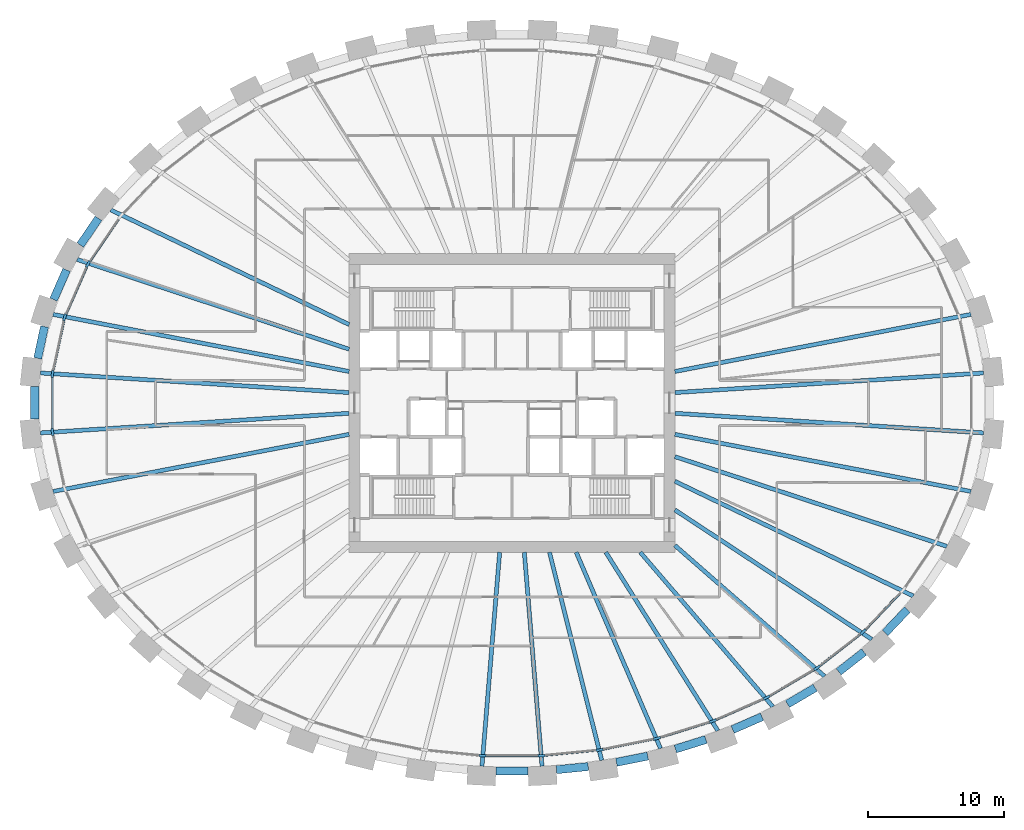
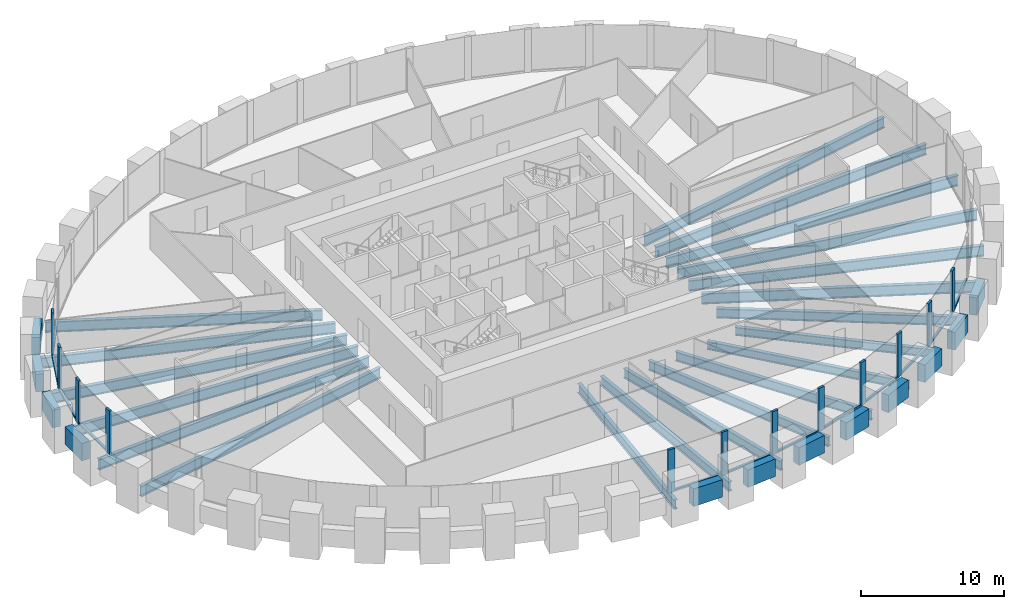
# One storey, part 2 of 11: 32 beams, 24 members, 1 element without a shape of its own.
"""IFC4 building model written with IfcOpenShell, lengths in metres."""

from ifc_helpers import new_model, si_unit, direction, frame, origin, origin_2d, place, context, subcontext, project, spatial, rectangle, i_section, extrude, source, transform, mapped, material, material_profile, profile_set, type_object, element, aggregate, save


model = new_model("IFC4")

# Units and contexts
model_context = context("Model", 3, precision=1e-05, world=origin(), true_north=direction((0.0, 1.0)))
body_context = subcontext(model_context, "Body", "Model", "MODEL_VIEW")
ifc_project = project(units=[si_unit("LENGTHUNIT", "METRE"), si_unit("AREAUNIT", "SQUARE_METRE"), si_unit("VOLUMEUNIT", "CUBIC_METRE"), si_unit("PLANEANGLEUNIT", "RADIAN"), si_unit("MASSUNIT", "GRAM", prefix="KILO")], contexts=[model_context])

# Site, building, storey
site_placement = place(None, origin())
site = spatial("IfcSite", under=ifc_project, at=site_placement, CompositionType="ELEMENT")
building_placement = place(site_placement, origin())
building = spatial("IfcBuilding", under=site, at=building_placement, Name="Embergate Tower", CompositionType="ELEMENT")
storey_placement = place(building_placement, frame((0.0, 0.0, 219.0)))
storey = spatial("IfcBuildingStorey", under=building, at=storey_placement, Name="L50", CompositionType="ELEMENT", Elevation=219.0)

# Beams
ifc_material_1 = material(Name="Concrete C60", Category="concrete")
ifc_material_profile_1 = material_profile(ifc_material_1, rectangle(XDim=0.60009765625, YDim=1.5, at=origin_2d()), Name="RC 600x1500")
ifc_profile_set_1 = profile_set([ifc_material_profile_1], Name="Concrete C60")
beam_type_1 = type_object("IfcBeamType", Name="Spandrel beam RC 600x1500 C60", PredefinedType="BEAM", material=ifc_profile_set_1)
shared_shape_1 = source(origin(), body_context, "Body", "SweptSolid", [
    extrude(rectangle(XDim=0.60009765625, YDim=1.5, at=origin_2d()), origin(), (0.0, 0.0, 1.0), 2.3896484375),
])
beam_1_placement = place(storey_placement, frame((-34.43603515625, 5.62109375, 0.0), z_axis=(-0.21045693854, -0.977603128586, 0.0), x_axis=(0.977603128586, -0.21045693854, 0.0)))
element("IfcBeam", 1, at=beam_1_placement, inside=storey, type_object=beam_type_1, Name="SPN-L50-20", PredefinedType="BEAM", context=body_context, shape_type="MappedRepresentation", body=[
    mapped(shared_shape_1, transform((0.0, 0.0, 0.0))),
])
shared_shape_2 = source(origin(), body_context, "Body", "SweptSolid", [
    extrude(rectangle(XDim=0.60009765625, YDim=1.5, at=origin_2d()), origin(), (0.0, 0.0, 1.0), 2.3837890625),
])
beam_2_placement = place(storey_placement, frame((-32.81298828125, 9.7958984375, 0.0), z_axis=(-0.401876968148, -0.915693672836, 0.0), x_axis=(0.915693672836, -0.401876968148, 0.0)))
element("IfcBeam", 2, at=beam_2_placement, inside=storey, type_object=beam_type_1, Name="SPN-L50-19", PredefinedType="BEAM", context=body_context, shape_type="MappedRepresentation", body=[
    mapped(shared_shape_2, transform((0.0, 0.0, 0.0))),
])
shared_shape_3 = source(origin(), body_context, "Body", "SweptSolid", [
    extrude(rectangle(XDim=0.60009765625, YDim=1.5, at=origin_2d()), origin(), (0.0, 0.0, 1.0), 2.379150390625),
])
beam_3_placement = place(storey_placement, frame((-30.458984375, 13.60009765625, 0.0), z_axis=(-0.562467199194, -0.826819599327, 0.0), x_axis=(0.826819599327, -0.562467199194, 0.0)))
element("IfcBeam", 3, at=beam_3_placement, inside=storey, type_object=beam_type_1, Name="SPN-L50-18", PredefinedType="BEAM", context=body_context, shape_type="MappedRepresentation", body=[
    mapped(shared_shape_3, transform((0.0, 0.0, 0.0))),
])
shared_shape_4 = source(origin(), body_context, "Body", "SweptSolid", [
    extrude(rectangle(XDim=0.60009765625, YDim=1.5, at=origin_2d()), origin(), (0.0, 0.0, 1.0), 2.370849609375),
])
beam_4_placement = place(storey_placement, frame((27.488037109375, -16.93701171875, 0.0), z_axis=(0.690017631866, 0.723792558482, 0.0), x_axis=(-0.723792558482, 0.690017631866, 0.0)))
element("IfcBeam", 4, at=beam_4_placement, inside=storey, type_object=beam_type_1, Name="SPN-L50-39", PredefinedType="BEAM", context=body_context, shape_type="MappedRepresentation", body=[
    mapped(shared_shape_4, transform((0.0, 0.0, 0.0))),
])
shared_shape_5 = source(origin(), body_context, "Body", "SweptSolid", [
    extrude(rectangle(XDim=0.60009765625, YDim=1.5, at=origin_2d()), origin(), (0.0, 0.0, 1.0), 2.366943359375),
])
beam_5_placement = place(storey_placement, frame((24.06591796875, -19.802001953125, 0.0), z_axis=(0.788379233054, 0.615189552, 0.0), x_axis=(-0.615189552, 0.788379233054, 0.0)))
element("IfcBeam", 5, at=beam_5_placement, inside=storey, type_object=beam_type_1, Name="SPN-L50-38", PredefinedType="BEAM", context=body_context, shape_type="MappedRepresentation", body=[
    mapped(shared_shape_5, transform((0.0, 0.0, 0.0))),
])
shared_shape_6 = source(origin(), body_context, "Body", "SweptSolid", [
    extrude(rectangle(XDim=0.60009765625, YDim=1.5, at=origin_2d()), origin(), (0.0, 0.0, 1.0), 2.36279296875),
])
beam_6_placement = place(storey_placement, frame((20.2919921875, -22.179931640625, 0.0), z_axis=(0.862170527893, 0.50661818052, 0.0), x_axis=(-0.50661818052, 0.862170527893, 0.0)))
element("IfcBeam", 6, at=beam_6_placement, inside=storey, type_object=beam_type_1, Name="SPN-L50-37", PredefinedType="BEAM", context=body_context, shape_type="MappedRepresentation", body=[
    mapped(shared_shape_6, transform((0.0, 0.0, 0.0))),
])
shared_shape_7 = source(origin(), body_context, "Body", "SweptSolid", [
    extrude(rectangle(XDim=0.60009765625, YDim=1.5, at=origin_2d()), origin(), (0.0, 0.0, 1.0), 2.357421875),
])
beam_7_placement = place(storey_placement, frame((16.2529296875, -24.06103515625, 0.0), z_axis=(0.91630938503, 0.400471111201, 0.0), x_axis=(-0.400471111201, 0.91630938503, 0.0)))
element("IfcBeam", 7, at=beam_7_placement, inside=storey, type_object=beam_type_1, Name="SPN-L50-36", PredefinedType="BEAM", context=body_context, shape_type="MappedRepresentation", body=[
    mapped(shared_shape_7, transform((0.0, 0.0, 0.0))),
])
shared_shape_8 = source(origin(), body_context, "Body", "SweptSolid", [
    extrude(rectangle(XDim=0.60009765625, YDim=1.5, at=origin_2d()), origin(), (0.0, 0.0, 1.0), 2.3564453125),
])
beam_8_placement = place(storey_placement, frame((12.035888671875, -25.49609375, 0.0), z_axis=(0.95483326256, 0.297142122073, 0.0), x_axis=(-0.297142122073, 0.95483326256, 0.0)))
element("IfcBeam", 8, at=beam_8_placement, inside=storey, type_object=beam_type_1, Name="SPN-L50-35", PredefinedType="BEAM", context=body_context, shape_type="MappedRepresentation", body=[
    mapped(shared_shape_8, transform((0.0, 0.0, 0.0))),
])
shared_shape_9 = source(origin(), body_context, "Body", "SweptSolid", [
    extrude(rectangle(XDim=0.60009765625, YDim=1.5, at=origin_2d()), origin(), (0.0, 0.0, 1.0), 2.353515625),
])
beam_9_placement = place(storey_placement, frame((7.693115234375, -26.47802734375, 0.0), z_axis=(0.980552738639, 0.196255768698, 0.0), x_axis=(-0.196255768698, 0.980552738639, 0.0)))
element("IfcBeam", 9, at=beam_9_placement, inside=storey, type_object=beam_type_1, Name="SPN-L50-34", PredefinedType="BEAM", context=body_context, shape_type="MappedRepresentation", body=[
    mapped(shared_shape_9, transform((0.0, 0.0, 0.0))),
])
shared_shape_10 = source(origin(), body_context, "Body", "SweptSolid", [
    extrude(rectangle(XDim=0.60009765625, YDim=1.5, at=origin_2d()), origin(), (0.0, 0.0, 1.0), 2.353271484375),
])
beam_10_placement = place(storey_placement, frame((3.27392578125, -27.01806640625, 0.0), z_axis=(0.99521330308, 0.097726564318, 0.0), x_axis=(-0.097726564318, 0.99521330308, 0.0)))
element("IfcBeam", 10, at=beam_10_placement, inside=storey, type_object=beam_type_1, Name="SPN-L50-33", PredefinedType="BEAM", context=body_context, shape_type="MappedRepresentation", body=[
    mapped(shared_shape_10, transform((0.0, 0.0, 0.0))),
])
shared_shape_11 = source(origin(), body_context, "Body", "SweptSolid", [
    extrude(rectangle(XDim=0.60009765625, YDim=1.5, at=origin_2d()), origin(), (0.0, 0.0, 1.0), 2.35205078125),
])
beam_11_placement = place(storey_placement, frame((-1.176025390625, -27.12109375, 0.0), z_axis=(1.0, 0.0, 0.0), x_axis=(0.0, 1.0, 0.0)))
element("IfcBeam", 11, at=beam_11_placement, inside=storey, type_object=beam_type_1, Name="SPN-L50-32", PredefinedType="BEAM", context=body_context, shape_type="MappedRepresentation", body=[
    mapped(shared_shape_11, transform((0.0, 0.0, 0.0))),
])
shared_shape_12 = source(origin(), body_context, "Body", "SweptSolid", [
    extrude(rectangle(XDim=0.60009765625, YDim=1.5, at=origin_2d()), origin(), (0.0, 0.0, 1.0), 2.39208984375),
])
beam_12_placement = place(storey_placement, frame((-35.160888671875, 1.196044921875, 0.0), z_axis=(0.0, -1.0, 0.0), x_axis=(1.0, 0.0, 0.0)))
element("IfcBeam", 12, at=beam_12_placement, inside=storey, type_object=beam_type_1, Name="SPN-L50-21", PredefinedType="BEAM", context=body_context, shape_type="MappedRepresentation", body=[
    mapped(shared_shape_12, transform((0.0, 0.0, 0.0))),
])
ifc_material_2 = material(Name="Steel Q355B", Category="steel")
ifc_material_profile_2 = material_profile(ifc_material_2, i_section(OverallWidth=0.300048828125, OverallDepth=0.89990234375, WebThickness=0.01611328125, FlangeThickness=0.028076171875, FilletRadius=0.028076171875, at=origin_2d()), Name="HN 900x300x16x28")
ifc_profile_set_2 = profile_set([ifc_material_profile_2], Name="Steel Q355 grade B")
beam_type_2 = type_object("IfcBeamType", Name="Radial girder HN 900x300x16x28", PredefinedType="BEAM", material=ifc_profile_set_2)
shared_shape_13 = source(origin(), body_context, "Body", "SweptSolid", [
    extrude(i_section(OverallWidth=0.300048828125, OverallDepth=0.89990234375, WebThickness=0.01611328125, FlangeThickness=0.028076171875, FilletRadius=0.028076171875, at=origin_2d()), origin(), (0.0, 0.0, 1.0), 22.786865234375),
])
for number, where, z_axis, x_axis, name in (
    (13, (34.740966796875, 2.20703125, -0.64990234375), (-0.997987128135, -0.063416812258, 0.0), (0.063416812258, -0.997987128135, 0.0), "GIR-L50-00"),
    (14, (-34.740966796875, 2.20703125, -0.64990234375), (0.997987128135, -0.063416812258, 0.0), (0.063416812258, 0.997987128135, 0.0), "GIR-L50-21"),
    (15, (-34.740966796875, -2.20703125, -0.64990234375), (0.997987128135, 0.063416812258, 0.0), (-0.063416812258, 0.997987128135, 0.0), "GIR-L50-22"),
    (16, (34.740966796875, -2.20703125, -0.64990234375), (-0.997987128135, 0.063416812258, 0.0), (-0.063416812258, -0.997987128135, 0.0), "GIR-L50-43"),
):
    element("IfcBeam", number, at=place(storey_placement, frame(where, z_axis=z_axis, x_axis=x_axis)), inside=storey, type_object=beam_type_2, Name=name, PredefinedType="BEAM", context=body_context, shape_type="MappedRepresentation", body=[
        mapped(shared_shape_13, transform((0.0, 0.0, 0.0))),
    ])
shared_shape_14 = source(origin(), body_context, "Body", "SweptSolid", [
    extrude(i_section(OverallWidth=0.300048828125, OverallDepth=0.89990234375, WebThickness=0.01611328125, FlangeThickness=0.028076171875, FilletRadius=0.028076171875, at=origin_2d()), origin(), (0.0, 0.0, 1.0), 22.214111328125),
])
for number, where, z_axis, x_axis, name in (
    (17, (33.81201171875, 6.52197265625, -0.64990234375), (-0.981902666563, -0.189386254508, 0.0), (0.189386254508, -0.981902666563, 0.0), "GIR-L50-01"),
    (18, (-33.81201171875, 6.52197265625, -0.64990234375), (0.981902666563, -0.189386254508, 0.0), (0.189386254508, 0.981902666563, 0.0), "GIR-L50-20"),
    (19, (-33.81201171875, -6.52197265625, -0.64990234375), (0.981902666563, 0.189386254508, 0.0), (-0.189386254508, 0.981902666563, 0.0), "GIR-L50-23"),
    (20, (33.81201171875, -6.52197265625, -0.64990234375), (-0.981902666563, 0.189386254508, 0.0), (-0.189386254508, -0.981902666563, 0.0), "GIR-L50-42"),
):
    element("IfcBeam", number, at=place(storey_placement, frame(where, z_axis=z_axis, x_axis=x_axis)), inside=storey, type_object=beam_type_2, Name=name, PredefinedType="BEAM", context=body_context, shape_type="MappedRepresentation", body=[
        mapped(shared_shape_14, transform((0.0, 0.0, 0.0))),
    ])
shared_shape_15 = source(origin(), body_context, "Body", "SweptSolid", [
    extrude(i_section(OverallWidth=0.300048828125, OverallDepth=0.89990234375, WebThickness=0.01611328125, FlangeThickness=0.028076171875, FilletRadius=0.028076171875, at=origin_2d()), origin(), (0.0, 0.0, 1.0), 21.100341796875),
])
for number, where, z_axis, x_axis, name in (
    (21, (-32.0390625, 10.56591796875, -0.64990234375), (0.949698867802, -0.313164590106, 0.0), (0.313164590106, 0.949698867802, 0.0), "GIR-L50-19"),
    (22, (32.0390625, -10.56591796875, -0.64990234375), (-0.949698867802, 0.313164590106, 0.0), (-0.313164590106, -0.949698867802, 0.0), "GIR-L50-41"),
):
    element("IfcBeam", number, at=place(storey_placement, frame(where, z_axis=z_axis, x_axis=x_axis)), inside=storey, type_object=beam_type_2, Name=name, PredefinedType="BEAM", context=body_context, shape_type="MappedRepresentation", body=[
        mapped(shared_shape_15, transform((0.0, 0.0, 0.0))),
    ])
shared_shape_16 = source(origin(), body_context, "Body", "SweptSolid", [
    extrude(i_section(OverallWidth=0.300048828125, OverallDepth=0.89990234375, WebThickness=0.01611328125, FlangeThickness=0.028076171875, FilletRadius=0.028076171875, at=origin_2d()), origin(), (0.0, 0.0, 1.0), 19.480712890625),
])
for number, where, z_axis, x_axis, name in (
    (23, (-29.554931640625, 14.218017578125, -0.64990234375), (0.901148212086, -0.433511130023, 0.0), (0.433511130023, 0.901148212086, 0.0), "GIR-L50-18"),
    (24, (29.554931640625, -14.218017578125, -0.64990234375), (-0.901148212086, 0.433511130023, 0.0), (-0.433511130023, -0.901148212086, 0.0), "GIR-L50-40"),
):
    element("IfcBeam", number, at=place(storey_placement, frame(where, z_axis=z_axis, x_axis=x_axis)), inside=storey, type_object=beam_type_2, Name=name, PredefinedType="BEAM", context=body_context, shape_type="MappedRepresentation", body=[
        mapped(shared_shape_16, transform((0.0, 0.0, 0.0))),
    ])
ifc_material_profile_3 = material_profile(ifc_material_2, i_section(OverallWidth=0.300048828125, OverallDepth=0.800048828125, WebThickness=0.013916015625, FlangeThickness=0.02587890625, FilletRadius=0.028076171875, at=origin_2d()), Name="HN 800x300x14x26")
ifc_profile_set_3 = profile_set([ifc_material_profile_3], Name="Steel Q355 grade B")
beam_type_3 = type_object("IfcBeamType", Name="Radial girder HN 800x300x14x26", PredefinedType="BEAM", material=ifc_profile_set_3)
shared_shape_17 = source(origin(), body_context, "Body", "SweptSolid", [
    extrude(i_section(OverallWidth=0.300048828125, OverallDepth=0.800048828125, WebThickness=0.013916015625, FlangeThickness=0.02587890625, FilletRadius=0.028076171875, at=origin_2d()), origin(), (0.0, 0.0, 1.0), 17.3583984375),
])
beam_13_placement = place(storey_placement, frame((26.507080078125, -17.416015625, -0.60009765625), z_axis=(-0.835738306524, 0.549127929547, 0.0), x_axis=(-0.549127929547, -0.835738306524, 0.0)))
element("IfcBeam", 25, at=beam_13_placement, inside=storey, type_object=beam_type_3, Name="GIR-L50-39", PredefinedType="BEAM", context=body_context, shape_type="MappedRepresentation", body=[
    mapped(shared_shape_17, transform((0.0, 0.0, 0.0))),
])
ifc_material_profile_4 = material_profile(ifc_material_2, i_section(OverallWidth=0.300048828125, OverallDepth=0.699951171875, WebThickness=0.012939453125, FlangeThickness=0.02392578125, FilletRadius=0.01806640625, at=origin_2d()), Name="HN 700x300x13x24")
ifc_profile_set_4 = profile_set([ifc_material_profile_4], Name="Steel Q355 grade B")
beam_type_4 = type_object("IfcBeamType", Name="Radial girder HN 700x300x13x24", PredefinedType="BEAM", material=ifc_profile_set_4)
shared_shape_18 = source(origin(), body_context, "Body", "SweptSolid", [
    extrude(i_section(OverallWidth=0.300048828125, OverallDepth=0.699951171875, WebThickness=0.012939453125, FlangeThickness=0.02392578125, FilletRadius=0.01806640625, at=origin_2d()), origin(), (0.0, 0.0, 1.0), 14.643798828125),
])
beam_14_placement = place(storey_placement, frame((23.02294921875, -20.134033203125, -0.550048828125), z_axis=(-0.752743981282, 0.658313374195, 0.0), x_axis=(-0.658313374195, -0.752743981282, 0.0)))
element("IfcBeam", 26, at=beam_14_placement, inside=storey, type_object=beam_type_4, Name="GIR-L50-38", PredefinedType="BEAM", context=body_context, shape_type="MappedRepresentation", body=[
    mapped(shared_shape_18, transform((0.0, 0.0, 0.0))),
])
shared_shape_19 = source(origin(), body_context, "Body", "SweptSolid", [
    extrude(i_section(OverallWidth=0.300048828125, OverallDepth=0.699951171875, WebThickness=0.012939453125, FlangeThickness=0.02392578125, FilletRadius=0.01806640625, at=origin_2d()), origin(), (0.0, 0.0, 1.0), 14.991943359375),
])
beam_15_placement = place(storey_placement, frame((19.212890625, -22.3740234375, -0.550048828125), z_axis=(-0.651471048315, 0.758673495785, 0.0), x_axis=(-0.758673495785, -0.651471048315, 0.0)))
element("IfcBeam", 27, at=beam_15_placement, inside=storey, type_object=beam_type_4, Name="GIR-L50-37", PredefinedType="BEAM", context=body_context, shape_type="MappedRepresentation", body=[
    mapped(shared_shape_19, transform((0.0, 0.0, 0.0))),
])
shared_shape_20 = source(origin(), body_context, "Body", "SweptSolid", [
    extrude(i_section(OverallWidth=0.300048828125, OverallDepth=0.800048828125, WebThickness=0.013916015625, FlangeThickness=0.02587890625, FilletRadius=0.028076171875, at=origin_2d()), origin(), (0.0, 0.0, 1.0), 15.522216796875),
])
beam_16_placement = place(storey_placement, frame((15.1640625, -24.14501953125, -0.60009765625), z_axis=(-0.531827158809, 0.846852922976, 0.0), x_axis=(-0.846852922976, -0.531827158809, 0.0)))
element("IfcBeam", 28, at=beam_16_placement, inside=storey, type_object=beam_type_3, Name="GIR-L50-36", PredefinedType="BEAM", context=body_context, shape_type="MappedRepresentation", body=[
    mapped(shared_shape_20, transform((0.0, 0.0, 0.0))),
])
shared_shape_21 = source(origin(), body_context, "Body", "SweptSolid", [
    extrude(i_section(OverallWidth=0.300048828125, OverallDepth=0.800048828125, WebThickness=0.013916015625, FlangeThickness=0.02587890625, FilletRadius=0.028076171875, at=origin_2d()), origin(), (0.0, 0.0, 1.0), 15.739013671875),
])
beam_17_placement = place(storey_placement, frame((10.943115234375, -25.4599609375, -0.60009765625), z_axis=(-0.394883218824, 0.918731322799, 0.0), x_axis=(-0.918731322799, -0.394883218824, 0.0)))
element("IfcBeam", 29, at=beam_17_placement, inside=storey, type_object=beam_type_3, Name="GIR-L50-35", PredefinedType="BEAM", context=body_context, shape_type="MappedRepresentation", body=[
    mapped(shared_shape_21, transform((0.0, 0.0, 0.0))),
])
shared_shape_22 = source(origin(), body_context, "Body", "SweptSolid", [
    extrude(i_section(OverallWidth=0.300048828125, OverallDepth=0.800048828125, WebThickness=0.013916015625, FlangeThickness=0.02587890625, FilletRadius=0.028076171875, at=origin_2d()), origin(), (0.0, 0.0, 1.0), 15.8046875),
])
beam_18_placement = place(storey_placement, frame((6.60888671875, -26.3291015625, -0.60009765625), z_axis=(-0.243465990326, 0.969909434718, 0.0), x_axis=(-0.969909434718, -0.243465990326, 0.0)))
element("IfcBeam", 30, at=beam_18_placement, inside=storey, type_object=beam_type_3, Name="GIR-L50-34", PredefinedType="BEAM", context=body_context, shape_type="MappedRepresentation", body=[
    mapped(shared_shape_22, transform((0.0, 0.0, 0.0))),
])
shared_shape_23 = source(origin(), body_context, "Body", "SweptSolid", [
    extrude(i_section(OverallWidth=0.300048828125, OverallDepth=0.800048828125, WebThickness=0.013916015625, FlangeThickness=0.02587890625, FilletRadius=0.028076171875, at=origin_2d()), origin(), (0.0, 0.0, 1.0), 15.814697265625),
])
for number, where, z_axis, x_axis, name in (
    (31, (-2.2099609375, -26.760986328125, -0.60009765625), (0.082328727809, 0.99660522805, 0.0), (-0.99660522805, 0.082328727809, 0.0), "GIR-L50-32"),
    (32, (2.2099609375, -26.760986328125, -0.60009765625), (-0.082328727809, 0.99660522805, 0.0), (-0.99660522805, -0.082328727809, 0.0), "GIR-L50-33"),
):
    element("IfcBeam", number, at=place(storey_placement, frame(where, z_axis=z_axis, x_axis=x_axis)), inside=storey, type_object=beam_type_3, Name=name, PredefinedType="BEAM", context=body_context, shape_type="MappedRepresentation", body=[
        mapped(shared_shape_23, transform((0.0, 0.0, 0.0))),
    ])

# Curtain wall, members
ifc_material_3 = material(Name="Aluminium and glass", Category="aluminium")
curtain_wall_type = type_object("IfcCurtainWallType", Name="Recessed office glazing", PredefinedType="NOTDEFINED", material=ifc_material_3)
curtain_wall_placement = place(storey_placement, origin())
curtain_wall = element("IfcCurtainWall", 33, at=curtain_wall_placement, inside=storey, type_object=curtain_wall_type, Name="Recessed office glazing ring", ObjectType="RECESSED OFFICE GLAZING", PredefinedType="USERDEFINED")
ifc_material_4 = material(Name="Aluminium, thermally broken", Category="aluminium")
ifc_material_profile_5 = material_profile(ifc_material_4, rectangle(XDim=0.179931640625, YDim=0.52001953125, at=origin_2d()), Name="AL 520x180")
ifc_profile_set_5 = profile_set([ifc_material_profile_5], Name="Aluminium, thermally broken")
member_type_1 = type_object("IfcMemberType", Name="Office mullion", PredefinedType="MULLION", material=ifc_profile_set_5)
shared_shape_24 = source(origin(), body_context, "Body", "SweptSolid", [
    extrude(rectangle(XDim=0.179931640625, YDim=0.52001953125, at=origin_2d()), origin(), (0.0, 0.0, 1.0), 3.699951171875),
])
member_1_placement = place(storey_placement, frame((-31.23583984375, 10.2236328125, 0.0), z_axis=(0.0, 0.0, 1.0), x_axis=(0.875001050883, -0.484121018914, 0.0)))
member_1 = element("IfcMember", 34, at=member_1_placement, type_object=member_type_1, Name="CW mullion 20", PredefinedType="MULLION", context=body_context, shape_type="MappedRepresentation", body=[
    mapped(shared_shape_24, transform((0.0, 0.0, 0.0))),
])
member_2_placement = place(storey_placement, frame((-32.953369140625, 6.307373046875, 0.0), z_axis=(0.0, 0.0, 1.0), x_axis=(0.951497261031, -0.307657215503, 0.0)))
member_2 = element("IfcMember", 35, at=member_2_placement, type_object=member_type_1, Name="CW mullion 21", PredefinedType="MULLION", context=body_context, shape_type="MappedRepresentation", body=[
    mapped(shared_shape_24, transform((0.0, 0.0, 0.0))),
])
member_3_placement = place(storey_placement, frame((-33.851806640625, 2.13330078125, 0.0), z_axis=(0.0, 0.0, 1.0), x_axis=(0.994384770038, -0.105824992874, 0.0)))
member_3 = element("IfcMember", 36, at=member_3_placement, type_object=member_type_1, Name="CW mullion 22", PredefinedType="MULLION", context=body_context, shape_type="MappedRepresentation", body=[
    mapped(shared_shape_24, transform((0.0, 0.0, 0.0))),
])
member_4_placement = place(storey_placement, frame((-33.851806640625, -2.13330078125, 0.0), z_axis=(0.0, 0.0, 1.0), x_axis=(0.994384770038, 0.105824992874, 0.0)))
member_4 = element("IfcMember", 37, at=member_4_placement, type_object=member_type_1, Name="CW mullion 23", PredefinedType="MULLION", context=body_context, shape_type="MappedRepresentation", body=[
    mapped(shared_shape_24, transform((0.0, 0.0, 0.0))),
])
member_5_placement = place(storey_placement, frame((-2.1591796875, -25.9853515625, 0.0), z_axis=(0.0, 0.0, 1.0), x_axis=(0.048971796621, 0.998800161762, 0.0)))
member_5 = element("IfcMember", 38, at=member_5_placement, type_object=member_type_1, Name="CW mullion 33", PredefinedType="MULLION", context=body_context, shape_type="MappedRepresentation", body=[
    mapped(shared_shape_24, transform((0.0, 0.0, 0.0))),
])
member_6_placement = place(storey_placement, frame((2.1591796875, -25.9853515625, 0.0), z_axis=(0.0, 0.0, 1.0), x_axis=(-0.048971796621, 0.998800161762, 0.0)))
member_6 = element("IfcMember", 39, at=member_6_placement, type_object=member_type_1, Name="CW mullion 34", PredefinedType="MULLION", context=body_context, shape_type="MappedRepresentation", body=[
    mapped(shared_shape_24, transform((0.0, 0.0, 0.0))),
])
member_7_placement = place(storey_placement, frame((6.456787109375, -25.562744140625, 0.0), z_axis=(0.0, 0.0, 1.0), x_axis=(-0.14741410908, 0.98907486089, 0.0)))
member_7 = element("IfcMember", 40, at=member_7_placement, type_object=member_type_1, Name="CW mullion 35", PredefinedType="MULLION", context=body_context, shape_type="MappedRepresentation", body=[
    mapped(shared_shape_24, transform((0.0, 0.0, 0.0))),
])
member_8_placement = place(storey_placement, frame((10.689453125, -24.7138671875, 0.0), z_axis=(0.0, 0.0, 1.0), x_axis=(-0.247313572481, 0.968935496752, 0.0)))
member_8 = element("IfcMember", 41, at=member_8_placement, type_object=member_type_1, Name="CW mullion 36", PredefinedType="MULLION", context=body_context, shape_type="MappedRepresentation", body=[
    mapped(shared_shape_24, transform((0.0, 0.0, 0.0))),
])
member_9_placement = place(storey_placement, frame((14.80908203125, -23.430908203125, 0.0), z_axis=(0.0, 0.0, 1.0), x_axis=(-0.349504318111, 0.93693475313, 0.0)))
member_9 = element("IfcMember", 42, at=member_9_placement, type_object=member_type_1, Name="CW mullion 37", PredefinedType="MULLION", context=body_context, shape_type="MappedRepresentation", body=[
    mapped(shared_shape_24, transform((0.0, 0.0, 0.0))),
])
member_10_placement = place(storey_placement, frame((18.759521484375, -21.70361328125, 0.0), z_axis=(0.0, 0.0, 1.0), x_axis=(-0.454512935162, 0.89074013706, 0.0)))
member_10 = element("IfcMember", 43, at=member_10_placement, type_object=member_type_1, Name="CW mullion 38", PredefinedType="MULLION", context=body_context, shape_type="MappedRepresentation", body=[
    mapped(shared_shape_24, transform((0.0, 0.0, 0.0))),
])
member_11_placement = place(storey_placement, frame((22.472412109375, -19.520751953125, 0.0), z_axis=(0.0, 0.0, 1.0), x_axis=(-0.562219061911, 0.826988347211, 0.0)))
member_11 = element("IfcMember", 44, at=member_11_placement, type_object=member_type_1, Name="CW mullion 39", PredefinedType="MULLION", context=body_context, shape_type="MappedRepresentation", body=[
    mapped(shared_shape_24, transform((0.0, 0.0, 0.0))),
])
member_12_placement = place(storey_placement, frame((25.86279296875, -16.87451171875, 0.0), z_axis=(0.0, 0.0, 1.0), x_axis=(-0.671227827685, 0.741251106806, 0.0)))
member_12 = element("IfcMember", 45, at=member_12_placement, type_object=member_type_1, Name="CW mullion 40", PredefinedType="MULLION", context=body_context, shape_type="MappedRepresentation", body=[
    mapped(shared_shape_24, transform((0.0, 0.0, 0.0))),
])
ifc_material_profile_6 = material_profile(ifc_material_4, rectangle(XDim=0.179931640625, YDim=0.14990234375, at=origin_2d()), Name="AL 150x180")
ifc_profile_set_6 = profile_set([ifc_material_profile_6], Name="Aluminium, thermally broken")
member_type_2 = type_object("IfcMemberType", Name="Office sill transom", PredefinedType="USERDEFINED", material=ifc_profile_set_6)
shared_shape_25 = source(origin(), body_context, "Body", "SweptSolid", [
    extrude(rectangle(XDim=0.179931640625, YDim=0.14990234375, at=origin_2d()), origin(), (0.0, 0.0, 1.0), 3.74951171875),
])
member_13_placement = place(storey_placement, frame((-33.008056640625, 6.05322265625, 0.074951171875), z_axis=(-0.210445024694, -0.977605693305, 0.0), x_axis=(0.977605693305, -0.210445024694, 0.0)))
member_13 = element("IfcMember", 46, at=member_13_placement, type_object=member_type_2, Name="CW transom 21.1", ObjectType="TRANSOM", PredefinedType="USERDEFINED", context=body_context, shape_type="MappedRepresentation", body=[
    mapped(shared_shape_25, transform((0.0, 0.0, 0.0))),
])
shared_shape_26 = source(origin(), body_context, "Body", "SweptSolid", [
    extrude(rectangle(XDim=0.179931640625, YDim=0.14990234375, at=origin_2d()), origin(), (0.0, 0.0, 1.0), 3.756591796875),
])
member_14_placement = place(storey_placement, frame((-31.340087890625, 9.985595703125, 0.074951171875), z_axis=(-0.401647151286, -0.9157944998, 0.0), x_axis=(0.9157944998, -0.401647151286, 0.0)))
member_14 = element("IfcMember", 47, at=member_14_placement, type_object=member_type_2, Name="CW transom 20.1", ObjectType="TRANSOM", PredefinedType="USERDEFINED", context=body_context, shape_type="MappedRepresentation", body=[
    mapped(shared_shape_26, transform((0.0, 0.0, 0.0))),
])
shared_shape_27 = source(origin(), body_context, "Body", "SweptSolid", [
    extrude(rectangle(XDim=0.179931640625, YDim=0.14990234375, at=origin_2d()), origin(), (0.0, 0.0, 1.0), 3.764892578125),
])
member_15_placement = place(storey_placement, frame((-28.972412109375, 13.552001953125, 0.074951171875), z_axis=(-0.562338399761, -0.826907204077, 0.0), x_axis=(0.826907204077, -0.562338399761, 0.0)))
member_15 = element("IfcMember", 48, at=member_15_placement, type_object=member_type_2, Name="CW transom 19.1", ObjectType="TRANSOM", PredefinedType="USERDEFINED", context=body_context, shape_type="MappedRepresentation", body=[
    mapped(shared_shape_27, transform((0.0, 0.0, 0.0))),
])
shared_shape_28 = source(origin(), body_context, "Body", "SweptSolid", [
    extrude(rectangle(XDim=0.179931640625, YDim=0.14990234375, at=origin_2d()), origin(), (0.0, 0.0, 1.0), 3.773681640625),
])
member_16_placement = place(storey_placement, frame((26.042236328125, -16.686279296875, 0.074951171875), z_axis=(0.690118677227, 0.723696214818, 0.0), x_axis=(-0.723696214818, 0.690118677227, 0.0)))
member_16 = element("IfcMember", 49, at=member_16_placement, type_object=member_type_2, Name="CW transom 40.1", ObjectType="TRANSOM", PredefinedType="USERDEFINED", context=body_context, shape_type="MappedRepresentation", body=[
    mapped(shared_shape_28, transform((0.0, 0.0, 0.0))),
])
shared_shape_29 = source(origin(), body_context, "Body", "SweptSolid", [
    extrude(rectangle(XDim=0.179931640625, YDim=0.14990234375, at=origin_2d()), origin(), (0.0, 0.0, 1.0), 3.781005859375),
])
member_17_placement = place(storey_placement, frame((22.67724609375, -19.36083984375, 0.074951171875), z_axis=(0.788315019644, 0.615271834073, 0.0), x_axis=(-0.615271834073, 0.788315019644, 0.0)))
member_17 = element("IfcMember", 50, at=member_17_placement, type_object=member_type_2, Name="CW transom 39.1", ObjectType="TRANSOM", PredefinedType="USERDEFINED", context=body_context, shape_type="MappedRepresentation", body=[
    mapped(shared_shape_29, transform((0.0, 0.0, 0.0))),
])
shared_shape_30 = source(origin(), body_context, "Body", "SweptSolid", [
    extrude(rectangle(XDim=0.179931640625, YDim=0.14990234375, at=origin_2d()), origin(), (0.0, 0.0, 1.0), 3.786865234375),
])
member_18_placement = place(storey_placement, frame((18.9833984375, -21.57177734375, 0.074951171875), z_axis=(0.862071738168, 0.506786264862, 0.0), x_axis=(-0.506786264862, 0.862071738168, 0.0)))
member_18 = element("IfcMember", 51, at=member_18_placement, type_object=member_type_2, Name="CW transom 38.1", ObjectType="TRANSOM", PredefinedType="USERDEFINED", context=body_context, shape_type="MappedRepresentation", body=[
    mapped(shared_shape_30, transform((0.0, 0.0, 0.0))),
])
shared_shape_31 = source(origin(), body_context, "Body", "SweptSolid", [
    extrude(rectangle(XDim=0.179931640625, YDim=0.14990234375, at=origin_2d()), origin(), (0.0, 0.0, 1.0), 3.79150390625),
])
member_19_placement = place(storey_placement, frame((15.04736328125, -23.326904296875, 0.074951171875), z_axis=(0.916232688924, 0.400646552146, 0.0), x_axis=(-0.400646552146, 0.916232688924, 0.0)))
member_19 = element("IfcMember", 52, at=member_19_placement, type_object=member_type_2, Name="CW transom 37.1", ObjectType="TRANSOM", PredefinedType="USERDEFINED", context=body_context, shape_type="MappedRepresentation", body=[
    mapped(shared_shape_31, transform((0.0, 0.0, 0.0))),
])
shared_shape_32 = source(origin(), body_context, "Body", "SweptSolid", [
    extrude(rectangle(XDim=0.179931640625, YDim=0.14990234375, at=origin_2d()), origin(), (0.0, 0.0, 1.0), 3.794677734375),
])
member_20_placement = place(storey_placement, frame((10.937744140625, -24.63671875, 0.074951171875), z_axis=(0.954763453415, 0.297366353213, 0.0), x_axis=(-0.297366353213, 0.954763453415, 0.0)))
member_20 = element("IfcMember", 53, at=member_20_placement, type_object=member_type_2, Name="CW transom 36.1", ObjectType="TRANSOM", PredefinedType="USERDEFINED", context=body_context, shape_type="MappedRepresentation", body=[
    mapped(shared_shape_32, transform((0.0, 0.0, 0.0))),
])
shared_shape_33 = source(origin(), body_context, "Body", "SweptSolid", [
    extrude(rectangle(XDim=0.179931640625, YDim=0.14990234375, at=origin_2d()), origin(), (0.0, 0.0, 1.0), 3.797119140625),
])
member_21_placement = place(storey_placement, frame((6.711669921875, -25.51171875, 0.074951171875), z_axis=(0.980479151748, 0.196623073385, 0.0), x_axis=(-0.196623073385, 0.980479151748, 0.0)))
member_21 = element("IfcMember", 54, at=member_21_placement, type_object=member_type_2, Name="CW transom 35.1", ObjectType="TRANSOM", PredefinedType="USERDEFINED", context=body_context, shape_type="MappedRepresentation", body=[
    mapped(shared_shape_33, transform((0.0, 0.0, 0.0))),
])
shared_shape_34 = source(origin(), body_context, "Body", "SweptSolid", [
    extrude(rectangle(XDim=0.179931640625, YDim=0.14990234375, at=origin_2d()), origin(), (0.0, 0.0, 1.0), 3.798095703125),
])
member_22_placement = place(storey_placement, frame((2.418212890625, -25.9599609375, 0.074951171875), z_axis=(0.995202542426, 0.097836085104, 0.0), x_axis=(-0.097836085104, 0.995202542426, 0.0)))
member_22 = element("IfcMember", 55, at=member_22_placement, type_object=member_type_2, Name="CW transom 34.1", ObjectType="TRANSOM", PredefinedType="USERDEFINED", context=body_context, shape_type="MappedRepresentation", body=[
    mapped(shared_shape_34, transform((0.0, 0.0, 0.0))),
])
shared_shape_35 = source(origin(), body_context, "Body", "SweptSolid", [
    extrude(rectangle(XDim=0.179931640625, YDim=0.14990234375, at=origin_2d()), origin(), (0.0, 0.0, 1.0), 3.798828125),
])
member_23_placement = place(storey_placement, frame((-1.8994140625, -25.9853515625, 0.074951171875), z_axis=(1.0, 0.0, 0.0), x_axis=(0.0, 1.0, 0.0)))
member_23 = element("IfcMember", 56, at=member_23_placement, type_object=member_type_2, Name="CW transom 33.1", ObjectType="TRANSOM", PredefinedType="USERDEFINED", context=body_context, shape_type="MappedRepresentation", body=[
    mapped(shared_shape_35, transform((0.0, 0.0, 0.0))),
])
shared_shape_36 = source(origin(), body_context, "Body", "SweptSolid", [
    extrude(rectangle(XDim=0.179931640625, YDim=0.14990234375, at=origin_2d()), origin(), (0.0, 0.0, 1.0), 3.74658203125),
])
member_24_placement = place(storey_placement, frame((-33.851806640625, 1.873291015625, 0.074951171875), z_axis=(0.0, -1.0, 0.0), x_axis=(1.0, 0.0, 0.0)))
member_24 = element("IfcMember", 57, at=member_24_placement, type_object=member_type_2, Name="CW transom 22.1", ObjectType="TRANSOM", PredefinedType="USERDEFINED", context=body_context, shape_type="MappedRepresentation", body=[
    mapped(shared_shape_36, transform((0.0, 0.0, 0.0))),
])
aggregate(curtain_wall, [member_1, member_2, member_3, member_4, member_5, member_6, member_7, member_8, member_9, member_10, member_11, member_12, member_15, member_14, member_13, member_24, member_23, member_22, member_21, member_20, member_19, member_18, member_17, member_16])

save(model, "model.ifc")
